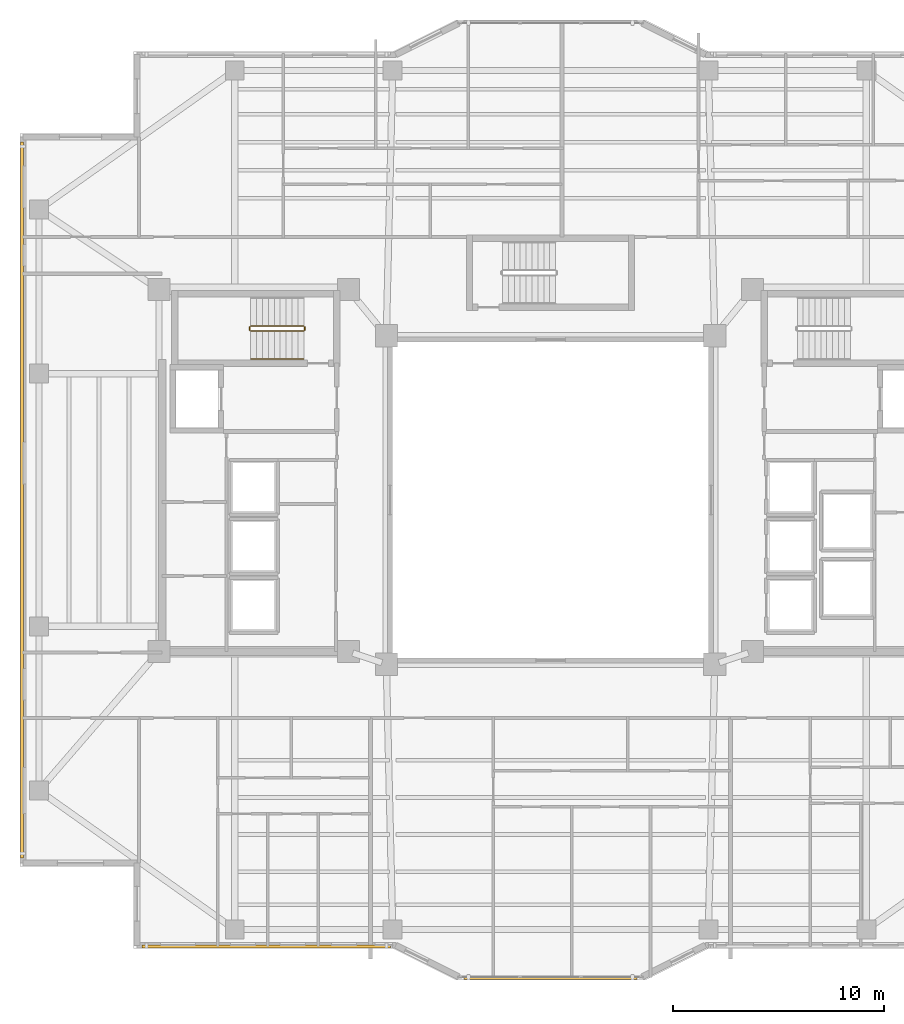
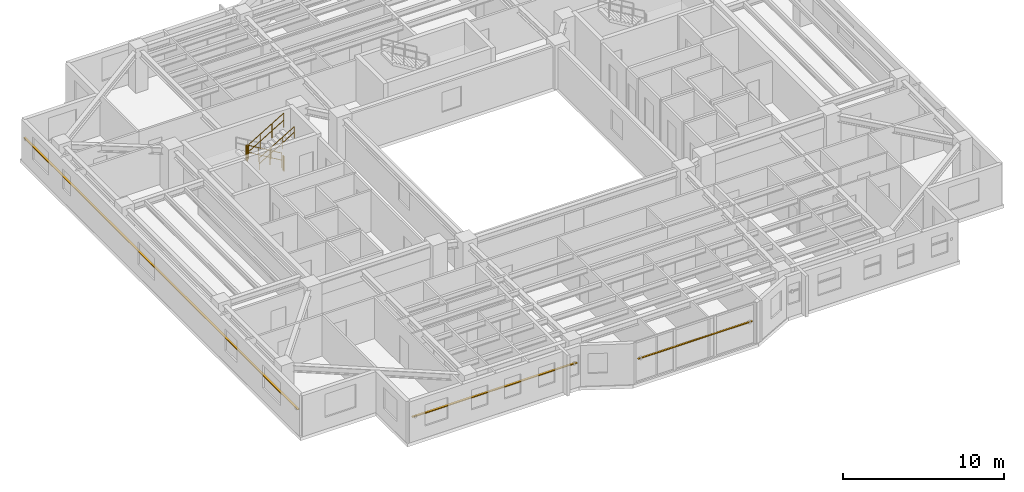
# One storey, part 14 of 16: 5 railings, 3 shading devices.
"""IFC4 building model written with IfcOpenShell, lengths in metres."""

import ifcopenshell
import ifcopenshell.guid

model = None  # the IFC model being written
_history = None  # IfcOwnerHistory: only IFC2X3 demands one
_inside = {}  # id of a spatial element -> (the spatial element, [elements in it])
_under = {}  # id of a project, library or spatial element -> (it, [spatial elements below it])
_declared = {}  # id of a project -> (the project, [libraries it declares])
_typed = {}  # id of a type object -> (the type object, [elements of that type])
_made_of = {}  # id of a material, layer set ... -> (it, [elements and type objects made of it])


def new_model(schema):
    """Start an empty IFC model of exactly this schema.

    Asked for "IFC4X3", IfcOpenShell would pick the latest addendum, in which some entities
    have other attributes; the version numbers below select the first issue.
    IFC2X3 requires an IfcOwnerHistory on every rooted entity: one is made here for all.
    """
    global model, _history
    if schema == "IFC4X3":
        model = ifcopenshell.file(schema_version=(4, 3, 0, 0))
    else:
        model = ifcopenshell.file(schema=schema)
    _inside.clear()
    _under.clear()
    _declared.clear()
    _typed.clear()
    _made_of.clear()
    _history = None
    if model.schema == "IFC2X3":
        org = make("IfcOrganization", Name="unknown")
        user = make(
            "IfcPersonAndOrganization",
            ThePerson=make("IfcPerson", FamilyName="unknown"),
            TheOrganization=org,
        )
        app = make(
            "IfcApplication",
            ApplicationDeveloper=org,
            Version="unknown",
            ApplicationFullName="unknown",
            ApplicationIdentifier="unknown",
        )
        _history = make(
            "IfcOwnerHistory",
            OwningUser=user,
            OwningApplication=app,
            ChangeAction="ADDED",
            CreationDate=0,
        )
    return model


def make(cls, **values):
    """One entity of the class cls with the attributes given. An attribute that is None is left unset."""
    return model.create_entity(
        cls, **{name: value for name, value in values.items() if value is not None}
    )


def rooted(cls, **values):
    """An entity with a GlobalId (a new one), such as an element, a storey or a relation."""
    return make(cls, GlobalId=ifcopenshell.guid.new(), OwnerHistory=_history, **values)


def si_unit(unit_type, name, prefix=None):
    """IfcSIUnit, for example si_unit("LENGTHUNIT", "METRE", prefix="MILLI")."""
    return make("IfcSIUnit", UnitType=unit_type, Prefix=prefix, Name=name)


def assignment(units):
    """IfcUnitAssignment: the units of a project."""
    return None if units is None else make("IfcUnitAssignment", Units=units)


def point(xyz):
    """IfcCartesianPoint."""
    return None if xyz is None else make("IfcCartesianPoint", Coordinates=xyz)


def direction(xyz):
    """IfcDirection."""
    return None if xyz is None else make("IfcDirection", DirectionRatios=xyz)


def frame(location, z_axis=None, x_axis=None):
    """IfcAxis2Placement3D, a coordinate frame: its origin and axes. An axis left out is left unset."""
    return make(
        "IfcAxis2Placement3D",
        Location=point(location),
        Axis=direction(z_axis),
        RefDirection=direction(x_axis),
    )


def frame_2d(location, x_axis=None):
    """IfcAxis2Placement2D, a coordinate frame in the plane: its origin and x axis."""
    return make(
        "IfcAxis2Placement2D", Location=point(location), RefDirection=direction(x_axis)
    )


def origin():
    """The frame at (0, 0, 0) with its axes left unset."""
    return frame((0.0, 0.0, 0.0))


def origin_2d():
    """The frame at (0, 0) in the plane with its x axis left unset."""
    return frame_2d((0.0, 0.0))


def place(relative_to, where):
    """IfcLocalPlacement: puts the frame where relative to a parent placement (None: the world)."""
    return make(
        "IfcLocalPlacement", PlacementRelTo=relative_to, RelativePlacement=where
    )


def context(
    kind, dimensions, precision=None, world=None, true_north=None, identifier=None
):
    """IfcGeometricRepresentationContext, for example the 3D "Model" context."""
    return make(
        "IfcGeometricRepresentationContext",
        ContextIdentifier=identifier,
        ContextType=kind,
        CoordinateSpaceDimension=dimensions,
        Precision=precision,
        WorldCoordinateSystem=world,
        TrueNorth=true_north,
    )


def subcontext(parent, identifier, kind, view, scale=None):
    """IfcGeometricRepresentationSubContext, for example "Body" below "Model"."""
    return make(
        "IfcGeometricRepresentationSubContext",
        ContextIdentifier=identifier,
        ContextType=kind,
        ParentContext=parent,
        TargetScale=scale,
        TargetView=view,
    )


def project(units=None, contexts=None):
    """IfcProject with its units and contexts."""
    return rooted(
        "IfcProject",
        Name="project",
        RepresentationContexts=contexts,
        UnitsInContext=assignment(units),
    )


def spatial(cls, under=None, at=None, **own):
    """A site, building, storey or space (cls), placed at a placement, below another one or the project."""
    s = rooted(cls, ObjectPlacement=at, **own)
    if under is not None:
        _under.setdefault(under.id(), (under, []))[1].append(s)
    return s


def profile(cls, at=None, kind="AREA", **sizes):
    """A parametric profile (cls). Its sizes go by their IFC names, for example OverallWidth=200.0."""
    return make(cls, ProfileType=kind, Position=at, **sizes)


def rectangle(**sizes):
    """IfcRectangleProfileDef."""
    return profile("IfcRectangleProfileDef", **sizes)


def circle(**sizes):
    """IfcCircleProfileDef."""
    return profile("IfcCircleProfileDef", **sizes)


def extrude(swept, where, along, depth):
    """IfcExtrudedAreaSolid: the profile swept, set in the frame where, extruded along a direction by depth."""
    return make(
        "IfcExtrudedAreaSolid",
        SweptArea=swept,
        Position=where,
        ExtrudedDirection=direction(along),
        Depth=depth,
    )


def shape(context_of_items, identifier, shape_type, items):
    """IfcShapeRepresentation: the items that make up one representation, for example the "Body"."""
    return make(
        "IfcShapeRepresentation",
        ContextOfItems=context_of_items,
        RepresentationIdentifier=identifier,
        RepresentationType=shape_type,
        Items=items,
    )


def material(Name=None, Category=None):
    """IfcMaterial."""
    return make("IfcMaterial", Name=Name, Category=Category)


def material_profile(
    of_material, cross_section, Name=None, Category=None, Priority=None
):
    """IfcMaterialProfile: a cross section and its material."""
    return make(
        "IfcMaterialProfile",
        Name=Name,
        Material=of_material,
        Profile=cross_section,
        Priority=Priority,
        Category=Category,
    )


def profile_set(profiles, Name=None, composite=None):
    """IfcMaterialProfileSet."""
    return make(
        "IfcMaterialProfileSet",
        Name=Name,
        MaterialProfiles=profiles,
        CompositeProfile=composite,
    )


def made_of(thing, what):
    """Note that an element or type object is made of a material, layer set ...; save() writes the relation."""
    if what is not None:
        _made_of.setdefault(what.id(), (what, []))[1].append(thing)
    return thing


def type_object(cls, material=None, **own):
    """A type object (cls), such as IfcWallType, which elements share."""
    return made_of(rooted(cls, **own), material)


def element(
    cls,
    number,
    at=None,
    inside=None,
    cuts=None,
    type_object=None,
    material=None,
    context=None,
    identifier="Body",
    shape_type=None,
    held_by="IfcProductDefinitionShape",
    body=None,
    shapes=None,
    **own,
):
    """One element of the class cls, such as IfcWall. Its Tag is "e" and its number.

    at: its placement. inside: the storey or other place that contains it. cuts: it is an
    opening in that element (IfcRelVoidsElement). A single representation is given by context,
    identifier, shape_type and body (its items); several are given by shapes. held_by: the class
    of the entity that holds the representations. save() writes the other relations.
    """
    e = rooted(cls, Tag="e%d" % number, ObjectPlacement=at, **own)
    if body is not None:
        shapes = [shape(context, identifier, shape_type, body)]
    if shapes is not None:
        e.Representation = make(held_by, Representations=shapes)
    if inside is not None:
        _inside.setdefault(inside.id(), (inside, []))[1].append(e)
    if cuts is not None:
        rooted(
            "IfcRelVoidsElement", RelatingBuildingElement=cuts, RelatedOpeningElement=e
        )
    if type_object is not None:
        _typed.setdefault(type_object.id(), (type_object, []))[1].append(e)
    return made_of(e, material)


def aggregate(whole, parts):
    """IfcRelAggregates: a whole, such as a stair, and the parts it consists of."""
    return rooted("IfcRelAggregates", RelatingObject=whole, RelatedObjects=parts)


def save(model, path):
    """Write the relations noted so far, then the file.

    IfcRelAggregates (storeys below a building ...), IfcRelContainedInSpatialStructure (elements
    in a storey), IfcRelDefinesByType, IfcRelAssociatesMaterial and IfcRelDeclares: one each for
    every whole, place, type object, material and project.
    """
    for whole, parts in _under.values():
        aggregate(whole, parts)
    for where, things in _inside.values():
        rooted(
            "IfcRelContainedInSpatialStructure",
            RelatedElements=things,
            RelatingStructure=where,
        )
    for kind, things in _typed.values():
        rooted("IfcRelDefinesByType", RelatedObjects=things, RelatingType=kind)
    for what, things in _made_of.values():
        rooted("IfcRelAssociatesMaterial", RelatedObjects=things, RelatingMaterial=what)
    for by, libraries in _declared.values():
        rooted("IfcRelDeclares", RelatingContext=by, RelatedDefinitions=libraries)
    model.write(path)


model = new_model("IFC4")

# Units and contexts
model_context = context("Model", 3, precision=1e-05, world=origin(), true_north=direction((0.0, 1.0)))
body_context = subcontext(model_context, "Body", "Model", "MODEL_VIEW")
ifc_project = project(units=[si_unit("LENGTHUNIT", "METRE"), si_unit("AREAUNIT", "SQUARE_METRE"), si_unit("VOLUMEUNIT", "CUBIC_METRE"), si_unit("PLANEANGLEUNIT", "RADIAN"), si_unit("MASSUNIT", "GRAM", prefix="KILO")], contexts=[model_context])

# Site, building, storey
site_placement = place(None, origin())
site = spatial("IfcSite", under=ifc_project, at=site_placement, CompositionType="ELEMENT")
building_placement = place(site_placement, origin())
building = spatial("IfcBuilding", under=site, at=building_placement, Name="Tarnavaz Court Tower", CompositionType="ELEMENT")
storey_placement = place(building_placement, frame((0.0, 0.0, 149.35009765625)))
storey = spatial("IfcBuildingStorey", under=building, at=storey_placement, Name="L40", CompositionType="ELEMENT", Elevation=149.35009765625)

# Railings
ifc_material_1 = material(Name="Brushed Stainless Steel", Category="steel")
railing_type_1 = type_object("IfcRailingType", Name="RL-HANDRAIL-900", PredefinedType="HANDRAIL", material=ifc_material_1)
railing_1_placement = place(storey_placement, frame((-14.239990234375, 6.699951171875, 1.84228515625)))
element("IfcRailing", 1, at=railing_1_placement, inside=storey, type_object=railing_type_1, Name="L40 ST-W1 stair handrail 2", PredefinedType="HANDRAIL", context=body_context, shape_type="SweptSolid", body=[
    extrude(circle(Radius=0.02392578125, at=origin_2d()), frame((0.0, 0.0, 0.8759765625), z_axis=(0.858159760407, 0.0, 0.513382728203), x_axis=(0.0, 1.0, 0.0)), (0.0, 0.0, 1.0), 2.9365234375),
    extrude(circle(Radius=0.02392578125, at=origin_2d()), frame((0.0, 0.0, 0.449951171875), z_axis=(0.858159760407, 0.0, 0.513382728203), x_axis=(0.0, 1.0, 0.0)), (0.0, 0.0, 1.0), 2.9365234375),
    extrude(circle(Radius=0.02099609375, at=origin_2d()), origin(), (0.0, 0.0, 1.0), 0.851806640625),
    extrude(circle(Radius=0.02099609375, at=origin_2d()), frame((0.840087890625, 0.0, 0.50244140625)), (0.0, 0.0, 1.0), 0.851806640625),
    extrude(circle(Radius=0.02099609375, at=origin_2d()), frame((1.679931640625, 0.0, 1.005126953125)), (0.0, 0.0, 1.0), 0.851806640625),
    extrude(circle(Radius=0.02099609375, at=origin_2d()), frame((2.52001953125, 0.0, 1.507568359375)), (0.0, 0.0, 1.0), 0.851806640625),
])
ifc_material_2 = material(Name="Galvanized Painted Tubular Steel", Category="steel")
railing_type_2 = type_object("IfcRailingType", Name="RL-STGUARD-1120", PredefinedType="GUARDRAIL", material=ifc_material_2)
railing_2_placement = place(storey_placement, frame((-11.719970703125, 8.27001953125, 0.16748046875)))
element("IfcRailing", 2, at=railing_2_placement, inside=storey, type_object=railing_type_2, Name="L40 ST-W1 stair guard 1", PredefinedType="GUARDRAIL", context=body_context, shape_type="SweptSolid", body=[
    extrude(circle(Radius=0.02392578125, at=origin_2d()), frame((0.0, 0.0, 1.09619140625), z_axis=(-0.858196387827, 0.0, 0.513321497621), x_axis=(0.0, -1.0, 0.0)), (0.0, 0.0, 1.0), 2.9365234375),
    extrude(circle(Radius=0.02392578125, at=origin_2d()), frame((0.0, 0.0, 0.56005859375), z_axis=(-0.858196387827, 0.0, 0.513321497621), x_axis=(0.0, -1.0, 0.0)), (0.0, 0.0, 1.0), 2.9365234375),
    extrude(circle(Radius=0.02099609375, at=origin_2d()), origin(), (0.0, 0.0, 1.0), 1.072021484375),
    extrude(circle(Radius=0.02099609375, at=origin_2d()), frame((-0.840087890625, 0.0, 0.50244140625)), (0.0, 0.0, 1.0), 1.072021484375),
    extrude(circle(Radius=0.02099609375, at=origin_2d()), frame((-1.679931640625, 0.0, 1.0048828125)), (0.0, 0.0, 1.0), 1.072021484375),
    extrude(circle(Radius=0.02099609375, at=origin_2d()), frame((-2.52001953125, 0.0, 1.50732421875)), (0.0, 0.0, 1.0), 1.072021484375),
])
railing_3_placement = place(storey_placement, frame((-14.2900390625, 8.219970703125, 1.6748046875)))
element("IfcRailing", 3, at=railing_3_placement, inside=storey, type_object=railing_type_2, Name="L40 ST-W1 stair guard 2", PredefinedType="GUARDRAIL", context=body_context, shape_type="SweptSolid", body=[
    extrude(circle(Radius=0.02392578125, at=origin_2d()), frame((0.0, 0.0, 1.09619140625), z_axis=(0.0, -1.0, 0.0), x_axis=(1.0, 0.0, 0.0)), (0.0, 0.0, 1.0), 0.14990234375),
    extrude(circle(Radius=0.02392578125, at=origin_2d()), frame((0.0, 0.0, 0.56005859375), z_axis=(0.0, -1.0, 0.0), x_axis=(1.0, 0.0, 0.0)), (0.0, 0.0, 1.0), 0.14990234375),
    extrude(circle(Radius=0.02099609375, at=origin_2d()), origin(), (0.0, 0.0, 1.0), 1.072021484375),
    extrude(circle(Radius=0.02099609375, at=origin_2d()), frame((0.0, -0.14990234375, 0.0)), (0.0, 0.0, 1.0), 1.072021484375),
])
railing_4_placement = place(storey_placement, frame((-14.239990234375, 8.02001953125, 1.84228515625)))
element("IfcRailing", 4, at=railing_4_placement, inside=storey, type_object=railing_type_2, Name="L40 ST-W1 stair guard 3", PredefinedType="GUARDRAIL", context=body_context, shape_type="SweptSolid", body=[
    extrude(circle(Radius=0.02392578125, at=origin_2d()), frame((0.0, 0.0, 1.09619140625), z_axis=(0.858159760407, 0.0, 0.513382728203), x_axis=(0.0, 1.0, 0.0)), (0.0, 0.0, 1.0), 2.9365234375),
    extrude(circle(Radius=0.02392578125, at=origin_2d()), frame((0.0, 0.0, 0.56005859375), z_axis=(0.858159760407, 0.0, 0.513382728203), x_axis=(0.0, 1.0, 0.0)), (0.0, 0.0, 1.0), 2.9365234375),
    extrude(circle(Radius=0.02099609375, at=origin_2d()), origin(), (0.0, 0.0, 1.0), 1.072021484375),
    extrude(circle(Radius=0.02099609375, at=origin_2d()), frame((0.840087890625, 0.0, 0.50244140625)), (0.0, 0.0, 1.0), 1.072021484375),
    extrude(circle(Radius=0.02099609375, at=origin_2d()), frame((1.679931640625, 0.0, 1.005126953125)), (0.0, 0.0, 1.0), 1.072021484375),
    extrude(circle(Radius=0.02099609375, at=origin_2d()), frame((2.52001953125, 0.0, 1.507568359375)), (0.0, 0.0, 1.0), 1.072021484375),
])
railing_5_placement = place(storey_placement, frame((-11.669921875, 8.219970703125, 0.0)))
element("IfcRailing", 5, at=railing_5_placement, inside=storey, type_object=railing_type_2, Name="L40 ST-W1 stair guard 4", PredefinedType="GUARDRAIL", context=body_context, shape_type="SweptSolid", body=[
    extrude(circle(Radius=0.02392578125, at=origin_2d()), frame((0.0, 0.0, 1.09619140625), z_axis=(0.0, -1.0, 0.0), x_axis=(1.0, 0.0, 0.0)), (0.0, 0.0, 1.0), 0.14990234375),
    extrude(circle(Radius=0.02392578125, at=origin_2d()), frame((0.0, 0.0, 0.56005859375), z_axis=(0.0, -1.0, 0.0), x_axis=(1.0, 0.0, 0.0)), (0.0, 0.0, 1.0), 0.14990234375),
    extrude(circle(Radius=0.02099609375, at=origin_2d()), origin(), (0.0, 0.0, 1.0), 1.072021484375),
    extrude(circle(Radius=0.02099609375, at=origin_2d()), frame((0.0, -0.14990234375, 0.0)), (0.0, 0.0, 1.0), 1.072021484375),
])

# Shading devices
ifc_material_3 = material(Name="Kiln-Fired Khorasan Terracotta Ceramic", Category="masonry")
ifc_material_profile_1 = material_profile(ifc_material_3, rectangle(XDim=0.1201171875, YDim=0.06005859375, at=origin_2d()), Name="TC BAGUETTE 120X60")
ifc_profile_set_1 = profile_set([ifc_material_profile_1], Name="Kiln-Fired Khorasan Terracotta Ceramic")
shading_device_type_1 = type_object("IfcShadingDeviceType", Name="SD-BAG-120", PredefinedType="USERDEFINED", material=ifc_profile_set_1)
shading_device_1_placement = place(storey_placement, frame((4.10009765625, -22.7099609375, 1.7998046875), z_axis=(-1.0, 0.0, 0.0), x_axis=(0.0, -1.0, 0.0)))
element("IfcShadingDevice", 6, at=shading_device_1_placement, inside=storey, type_object=shading_device_type_1, Name="L40 Terracotta Baguette Screen PBG17", ObjectType="BAGUETTE", PredefinedType="USERDEFINED", context=body_context, shape_type="SweptSolid", body=[
    extrude(rectangle(XDim=0.1201171875, YDim=0.06005859375, at=origin_2d()), origin(), (0.0, 0.0, 1.0), 8.2001953125),
])
ifc_material_profile_2 = material_profile(ifc_material_3, rectangle(XDim=0.14990234375, YDim=0.06494140625, at=origin_2d()), Name="TC BAGUETTE 150X65")
ifc_profile_set_2 = profile_set([ifc_material_profile_2], Name="Kiln-Fired Khorasan Terracotta Ceramic")
shading_device_type_2 = type_object("IfcShadingDeviceType", Name="SD-BAG-150", PredefinedType="USERDEFINED", material=ifc_profile_set_2)
shading_device_2_placement = place(storey_placement, frame((-25.110107421875, -17.0, 1.849853515625), z_axis=(0.0, 1.0, 0.0), x_axis=(-1.0, 0.0, 0.0)))
element("IfcShadingDevice", 7, at=shading_device_2_placement, inside=storey, type_object=shading_device_type_2, Name="L40 Terracotta Baguette Screen FBG02", ObjectType="BAGUETTE", PredefinedType="USERDEFINED", context=body_context, shape_type="SweptSolid", body=[
    extrude(rectangle(XDim=0.14990234375, YDim=0.06494140625, at=origin_2d()), origin(), (0.0, 0.0, 1.0), 34.0),
])
shading_device_3_placement = place(storey_placement, frame((-7.60009765625, -21.2099609375, 1.849853515625), z_axis=(-1.0, 0.0, 0.0), x_axis=(0.0, -1.0, 0.0)))
element("IfcShadingDevice", 8, at=shading_device_3_placement, inside=storey, type_object=shading_device_type_2, Name="L40 Terracotta Baguette Screen FBG19", ObjectType="BAGUETTE", PredefinedType="USERDEFINED", context=body_context, shape_type="SweptSolid", body=[
    extrude(rectangle(XDim=0.14990234375, YDim=0.06494140625, at=origin_2d()), origin(), (0.0, 0.0, 1.0), 11.7998046875),
])

save(model, "model.ifc")
